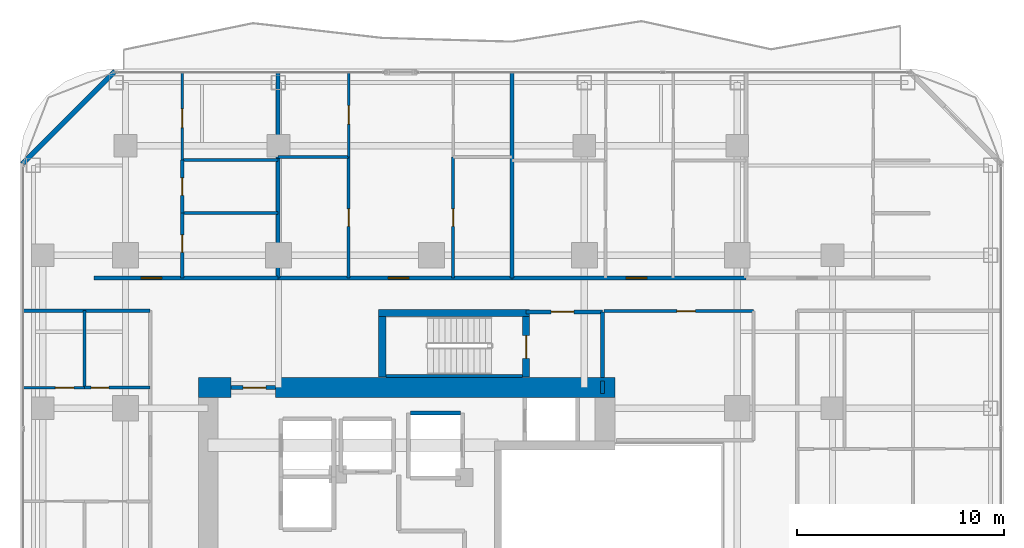
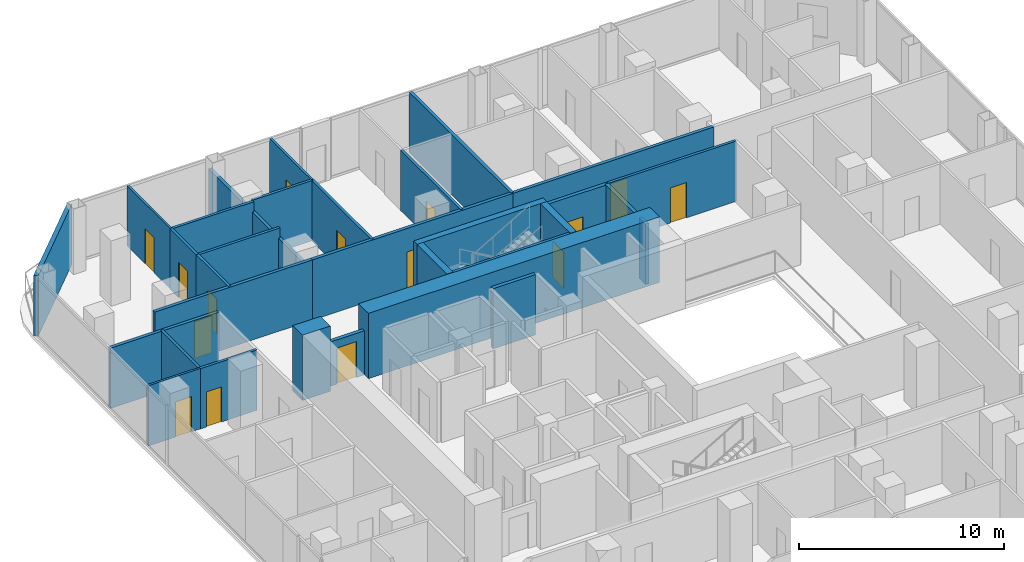
# One storey, part 23 of 27: 31 walls, 15 doors, 15 openings.
"""IFC4 building model written with IfcOpenShell, lengths in metres."""

from ifc_helpers import new_model, si_unit, direction, frame, frame_2d, origin, place, context, subcontext, project, spatial, rectangle, extrude, material, layer, layer_set, type_object, element, fill, save


model = new_model("IFC4")

# Units and contexts
model_context = context("Model", 3, precision=1e-05, world=origin(), true_north=direction((0.0, 1.0)))
body_context = subcontext(model_context, "Body", "Model", "MODEL_VIEW")
ifc_project = project(units=[si_unit("LENGTHUNIT", "METRE"), si_unit("AREAUNIT", "SQUARE_METRE"), si_unit("VOLUMEUNIT", "CUBIC_METRE"), si_unit("PLANEANGLEUNIT", "RADIAN"), si_unit("MASSUNIT", "GRAM", prefix="KILO")], contexts=[model_context])

# Site, building, storey
site_placement = place(None, origin())
site = spatial("IfcSite", under=ifc_project, at=site_placement, CompositionType="ELEMENT")
building_placement = place(site_placement, origin())
building = spatial("IfcBuilding", under=site, at=building_placement, Name="Khorvyn Point Tower", CompositionType="ELEMENT")
storey_placement = place(building_placement, frame((0.0, 0.0, 152.39990234375)))
storey = spatial("IfcBuildingStorey", under=building, at=storey_placement, Name="L38", CompositionType="ELEMENT", Elevation=152.39990234375)

# Wall, opening, door
ifc_material_1 = material(Name="Double acoustic gypsum on twin steel stud", Category="steel")
ifc_layer_1 = layer(ifc_material_1, 0.179931640625)
ifc_layer_set_1 = layer_set([ifc_layer_1], Name="Acoustic Double-Stud Apartment Demising Wall 180")
wall_type_1 = type_object("IfcWallType", Name="Acoustic Double-Stud Apartment Demising Wall 180", PredefinedType="PARTITIONING", material=ifc_layer_set_1)
wall_1_placement = place(storey_placement, frame((-16.320068359375, 13.699951171875, 0.0), z_axis=(0.0, 0.0, 1.0), x_axis=(1.0, 0.0, 0.0)))
wall_1 = element("IfcWall", 1, at=wall_1_placement, inside=storey, type_object=wall_type_1, Name="Wall", PredefinedType="PARTITIONING", context=body_context, shape_type="SweptSolid", body=[
    extrude(rectangle(XDim=8.89697265625, YDim=0.179931640625, at=frame_2d((4.448486328125, 0.0))), origin(), (0.0, 0.0, 1.0), 3.60009765625),
])
opening_1_placement = place(wall_1_placement, frame((2.2744140625, 0.0, 0.0)))
opening_1 = element("IfcOpeningElement", 2, at=opening_1_placement, cuts=wall_1, Name="Opening ID-AP60", PredefinedType="OPENING", context=body_context, shape_type="SweptSolid", body=[
    extrude(rectangle(XDim=1.0, YDim=2.199951171875, at=frame_2d((0.5, 1.10009765625))), frame((0.0, 0.099853515625, 0.0), z_axis=(0.0, -1.0, 0.0), x_axis=(1.0, 0.0, 0.0)), (0.0, 0.0, 1.0), 0.199951171875),
])
ifc_material_2 = material(Name="Engineered hardwood fire-rated leaf", Category="wood")
door_type_1 = type_object("IfcDoorType", Name="Acoustic Solid-Core Timber Apartment Entrance Door 1000x2200", OperationType="NOTDEFINED", PredefinedType="DOOR", material=ifc_material_2)
door_1_placement = place(opening_1_placement, origin())
door_1 = element("IfcDoor", 3, at=door_1_placement, inside=storey, type_object=door_type_1, Name="Door", OperationType="SINGLE_SWING_LEFT", OverallHeight=2.199951171875, OverallWidth=1.0, PredefinedType="DOOR", context=body_context, shape_type="SweptSolid", body=[
    extrude(rectangle(XDim=1.0, YDim=2.199951171875, at=frame_2d((0.5, 1.10009765625))), frame((0.0, 0.02490234375, 0.0), z_axis=(0.0, -1.0, 0.0), x_axis=(1.0, 0.0, 0.0)), (0.0, 0.0, 1.0), 0.050048828125),
])
fill(opening_1, door_1)

wall_2_placement = place(storey_placement, frame((-7.423095703125, 13.699951171875, 0.0), z_axis=(0.0, 0.0, 1.0), x_axis=(1.0, 0.0, 0.0)))
wall_2 = element("IfcWall", 4, at=wall_2_placement, inside=storey, type_object=wall_type_1, Name="Wall", PredefinedType="PARTITIONING", context=body_context, shape_type="SweptSolid", body=[
    extrude(rectangle(XDim=11.322998046875, YDim=0.179931640625, at=frame_2d((5.66162109375, 0.0))), origin(), (0.0, 0.0, 1.0), 3.60009765625),
])
opening_2_placement = place(wall_2_placement, frame((5.340087890625, 0.0, 0.0)))
opening_2 = element("IfcOpeningElement", 5, at=opening_2_placement, cuts=wall_2, Name="Opening ID-AP60", PredefinedType="OPENING", context=body_context, shape_type="SweptSolid", body=[
    extrude(rectangle(XDim=1.0, YDim=2.199951171875, at=frame_2d((0.5, 1.10009765625))), frame((0.0, 0.099853515625, 0.0), z_axis=(0.0, -1.0, 0.0), x_axis=(1.0, 0.0, 0.0)), (0.0, 0.0, 1.0), 0.199951171875),
])
door_2_placement = place(opening_2_placement, origin())
door_2 = element("IfcDoor", 6, at=door_2_placement, inside=storey, type_object=door_type_1, Name="Door", OperationType="SINGLE_SWING_LEFT", OverallHeight=2.199951171875, OverallWidth=1.0, PredefinedType="DOOR", context=body_context, shape_type="SweptSolid", body=[
    extrude(rectangle(XDim=1.0, YDim=2.199951171875, at=frame_2d((0.5, 1.10009765625))), frame((0.0, 0.02490234375, 0.0), z_axis=(0.0, -1.0, 0.0), x_axis=(1.0, 0.0, 0.0)), (0.0, 0.0, 1.0), 0.050048828125),
])
fill(opening_2, door_2)

wall_3_placement = place(storey_placement, frame((3.89990234375, 13.699951171875, 0.0), z_axis=(0.0, 0.0, 1.0), x_axis=(1.0, 0.0, 0.0)))
wall_3 = element("IfcWall", 7, at=wall_3_placement, inside=storey, type_object=wall_type_1, Name="Wall", PredefinedType="PARTITIONING", context=body_context, shape_type="SweptSolid", body=[
    extrude(rectangle(XDim=11.322998046875, YDim=0.179931640625, at=frame_2d((5.66162109375, 0.0))), origin(), (0.0, 0.0, 1.0), 3.60009765625),
])
opening_3_placement = place(wall_3_placement, frame((5.518798828125, 0.0, 0.0)))
opening_3 = element("IfcOpeningElement", 8, at=opening_3_placement, cuts=wall_3, Name="Opening ID-AP60", PredefinedType="OPENING", context=body_context, shape_type="SweptSolid", body=[
    extrude(rectangle(XDim=1.0, YDim=2.199951171875, at=frame_2d((0.5, 1.10009765625))), frame((0.0, 0.099853515625, 0.0), z_axis=(0.0, -1.0, 0.0), x_axis=(1.0, 0.0, 0.0)), (0.0, 0.0, 1.0), 0.199951171875),
])
door_3_placement = place(opening_3_placement, origin())
door_3 = element("IfcDoor", 9, at=door_3_placement, inside=storey, type_object=door_type_1, Name="Door", OperationType="SINGLE_SWING_RIGHT", OverallHeight=2.199951171875, OverallWidth=1.0, PredefinedType="DOOR", context=body_context, shape_type="SweptSolid", body=[
    extrude(rectangle(XDim=1.0, YDim=2.199951171875, at=frame_2d((0.5, 1.10009765625))), frame((0.0, 0.02490234375, 0.0), z_axis=(0.0, -1.0, 0.0), x_axis=(1.0, 0.0, 0.0)), (0.0, 0.0, 1.0), 0.050048828125),
])
fill(opening_3, door_3)

# Walls
wall_4_placement = place(storey_placement, frame((-7.423095703125, 13.699951171875, 0.0), z_axis=(0.0, 0.0, 1.0), x_axis=(0.0, 1.0, 0.0)))
element("IfcWall", 10, at=wall_4_placement, inside=storey, type_object=wall_type_1, Name="Wall", PredefinedType="PARTITIONING", context=body_context, shape_type="SweptSolid", body=[
    extrude(rectangle(XDim=9.929931640625, YDim=0.179931640625, at=frame_2d((4.96484375, 0.0))), origin(), (0.0, 0.0, 1.0), 3.002197265625),
])
wall_5_placement = place(storey_placement, frame((3.89990234375, 13.699951171875, 0.0), z_axis=(0.0, 0.0, 1.0), x_axis=(0.0, 1.0, 0.0)))
element("IfcWall", 11, at=wall_5_placement, inside=storey, type_object=wall_type_1, Name="Wall", PredefinedType="PARTITIONING", context=body_context, shape_type="SweptSolid", body=[
    extrude(rectangle(XDim=9.929931640625, YDim=0.179931640625, at=frame_2d((4.96484375, 0.0))), origin(), (0.0, 0.0, 1.0), 3.60009765625),
])
wall_6_placement = place(storey_placement, frame((-19.72998046875, 12.1201171875, 0.0), z_axis=(0.0, 0.0, 1.0), x_axis=(1.0, 0.0, 0.0)))
element("IfcWall", 12, at=wall_6_placement, inside=storey, type_object=wall_type_1, Name="Wall", PredefinedType="PARTITIONING", context=body_context, shape_type="SweptSolid", body=[
    extrude(rectangle(XDim=6.1298828125, YDim=0.179931640625, at=frame_2d((3.06494140625, 0.0))), origin(), (0.0, 0.0, 1.0), 3.60009765625),
])
ifc_material_3 = material(Name="Pale anodised aluminium rainscreen on steel stud", Category="steel")
ifc_layer_2 = layer(ifc_material_3, 0.239990234375)
ifc_layer_set_2 = layer_set([ifc_layer_2], Name="Anodised Aluminium Insulated Corner Spandrel Wall 240")
wall_type_2 = type_object("IfcWallType", Name="Anodised Aluminium Insulated Corner Spandrel Wall 240", PredefinedType="SOLIDWALL", material=ifc_layer_set_2)
wall_7_placement = place(storey_placement, frame((-19.79248046875, 19.20751953125, 0.0), z_axis=(0.0, 0.0, 1.0), x_axis=(0.707106781187, 0.707106781187, 0.0)))
element("IfcWall", 13, at=wall_7_placement, inside=storey, type_object=wall_type_2, Name="L38 Rounded Corner Wall NW", PredefinedType="SOLIDWALL", context=body_context, shape_type="SweptSolid", body=[
    extrude(rectangle(XDim=6.342529296875, YDim=0.239990234375, at=frame_2d((3.17138671875, 0.0))), origin(), (0.0, 0.0, 1.0), 3.60009765625),
])

# Wall, opening, door
ifc_material_4 = material(Name="Concrete C40/50", Category="concrete")
ifc_layer_3 = layer(ifc_material_4, 0.199951171875)
ifc_layer_set_3 = layer_set([ifc_layer_3], Name="Concrete C40/50 Fire-Lobby Compartment Wall 200")
wall_type_3 = type_object("IfcWallType", Name="Concrete C40/50 Fire-Lobby Compartment Wall 200", PredefinedType="SOLIDWALL", material=ifc_layer_set_3)
wall_8_placement = place(storey_placement, frame((4.580078125, 12.06005859375, 0.0), z_axis=(0.0, 0.0, 1.0), x_axis=(1.0, 0.0, 0.0)))
wall_8 = element("IfcWall", 14, at=wall_8_placement, inside=storey, type_object=wall_type_3, Name="Wall", PredefinedType="SOLIDWALL", context=body_context, shape_type="SweptSolid", body=[
    extrude(rectangle(XDim=3.699951171875, YDim=0.199951171875, at=frame_2d((1.85009765625, 0.0))), origin(), (0.0, 0.0, 1.0), 3.60009765625),
])
opening_4_placement = place(wall_8_placement, frame((1.21240234375, 0.0, 0.0)))
opening_4 = element("IfcOpeningElement", 15, at=opening_4_placement, cuts=wall_8, Name="Opening ID-FL90", PredefinedType="OPENING", context=body_context, shape_type="SweptSolid", body=[
    extrude(rectangle(XDim=1.10009765625, YDim=2.14990234375, at=frame_2d((0.550048828125, 1.074951171875))), frame((0.0, 0.10986328125, 0.0), z_axis=(0.0, -1.0, 0.0), x_axis=(1.0, 0.0, 0.0)), (0.0, 0.0, 1.0), 0.219970703125),
])
ifc_material_5 = material(Name="Galvanised powder-coated steel", Category="steel")
door_type_2 = type_object("IfcDoorType", Name="Fire-Rated Steel Lobby and Stair Door 1100x2150", OperationType="NOTDEFINED", PredefinedType="DOOR", material=ifc_material_5)
door_4_placement = place(opening_4_placement, origin())
door_4 = element("IfcDoor", 16, at=door_4_placement, inside=storey, type_object=door_type_2, Name="Door", OperationType="SINGLE_SWING_LEFT", OverallHeight=2.14990234375, OverallWidth=1.10009765625, PredefinedType="DOOR", context=body_context, shape_type="SweptSolid", body=[
    extrude(rectangle(XDim=1.10009765625, YDim=2.14990234375, at=frame_2d((0.550048828125, 1.074951171875))), frame((0.0, 0.02490234375, 0.0), z_axis=(0.0, -1.0, 0.0), x_axis=(1.0, 0.0, 0.0)), (0.0, 0.0, 1.0), 0.050048828125),
])
fill(opening_4, door_4)

wall_9_placement = place(storey_placement, frame((-9.699951171875, 8.39990234375, 0.0), z_axis=(0.0, 0.0, 1.0), x_axis=(1.0, 0.0, 0.0)))
wall_9 = element("IfcWall", 17, at=wall_9_placement, inside=storey, type_object=wall_type_3, Name="Wall", PredefinedType="SOLIDWALL", context=body_context, shape_type="SweptSolid", body=[
    extrude(rectangle(XDim=2.14990234375, YDim=0.199951171875, at=frame_2d((1.074951171875, 0.0))), origin(), (0.0, 0.0, 1.0), 2.64013671875),
])
opening_5_placement = place(wall_9_placement, frame((0.597900390625, 0.0, 0.0)))
opening_5 = element("IfcOpeningElement", 18, at=opening_5_placement, cuts=wall_9, Name="Opening ID-FL90", PredefinedType="OPENING", context=body_context, shape_type="SweptSolid", body=[
    extrude(rectangle(XDim=1.10009765625, YDim=2.14990234375, at=frame_2d((0.550048828125, 1.074951171875))), frame((0.0, 0.10986328125, 0.0), z_axis=(0.0, -1.0, 0.0), x_axis=(1.0, 0.0, 0.0)), (0.0, 0.0, 1.0), 0.219970703125),
])
door_5_placement = place(opening_5_placement, origin())
door_5 = element("IfcDoor", 19, at=door_5_placement, inside=storey, type_object=door_type_2, Name="Door", OperationType="SINGLE_SWING_LEFT", OverallHeight=2.14990234375, OverallWidth=1.10009765625, PredefinedType="DOOR", context=body_context, shape_type="SweptSolid", body=[
    extrude(rectangle(XDim=1.10009765625, YDim=2.14990234375, at=frame_2d((0.550048828125, 1.074951171875))), frame((0.0, 0.02490234375, 0.0), z_axis=(0.0, -1.0, 0.0), x_axis=(1.0, 0.0, 0.0)), (0.0, 0.0, 1.0), 0.050048828125),
])
fill(opening_5, door_5)

# Walls
wall_10_placement = place(storey_placement, frame((8.280029296875, 8.875, 0.0), z_axis=(0.0, 0.0, 1.0), x_axis=(0.0, 1.0, 0.0)))
element("IfcWall", 20, at=wall_10_placement, inside=storey, type_object=wall_type_3, Name="Wall", PredefinedType="SOLIDWALL", context=body_context, shape_type="SweptSolid", body=[
    extrude(rectangle(XDim=3.18505859375, YDim=0.199951171875, at=frame_2d((1.592529296875, 0.0))), origin(), (0.0, 0.0, 1.0), 3.60009765625),
])
wall_11_placement = place(storey_placement, frame((8.280029296875, 8.10009765625, 0.0), z_axis=(0.0, 0.0, 1.0), x_axis=(0.0, 1.0, 0.0)))
element("IfcWall", 21, at=wall_11_placement, inside=storey, type_object=wall_type_3, Name="Wall", PredefinedType="SOLIDWALL", context=body_context, shape_type="SweptSolid", body=[
    extrude(rectangle(XDim=0.625, YDim=0.199951171875, at=frame_2d((0.3125, 0.0))), origin(), (0.0, 0.0, 1.0), 3.60009765625),
])
ifc_layer_4 = layer(ifc_material_4, 0.25)
ifc_layer_set_4 = layer_set([ifc_layer_4], Name="Concrete C40/50 Stair Inner Cheek Structural Wall 250")
wall_type_4 = type_object("IfcWallType", Name="Concrete C40/50 Stair Inner Cheek Structural Wall 250", PredefinedType="SHEAR", material=ifc_layer_set_4)
wall_12_placement = place(storey_placement, frame((-2.199951171875, 8.949951171875, 0.0), z_axis=(0.0, 0.0, 1.0), x_axis=(1.0, 0.0, 0.0)))
element("IfcWall", 22, at=wall_12_placement, inside=storey, type_object=wall_type_4, Name="Wall", PredefinedType="SHEAR", context=body_context, shape_type="SweptSolid", body=[
    extrude(rectangle(XDim=6.599853515625, YDim=0.14990234375, at=frame_2d((3.2998046875, 0.0))), origin(), (0.0, 0.0, 1.0), 3.900146484375),
])
ifc_layer_5 = layer(ifc_material_4, 0.35009765625)
ifc_layer_set_5 = layer_set([ifc_layer_5], Name="Concrete C40/50 Stair Shaft Structural Wall 350")
wall_type_5 = type_object("IfcWallType", Name="Concrete C40/50 Stair Shaft Structural Wall 350", PredefinedType="SHEAR", material=ifc_layer_set_5)
wall_13_placement = place(storey_placement, frame((-2.554931640625, 12.0, 0.0), z_axis=(0.0, 0.0, 1.0), x_axis=(1.0, 0.0, 0.0)))
element("IfcWall", 23, at=wall_13_placement, inside=storey, type_object=wall_type_5, Name="L38 ST-02 North Shaft Wall", PredefinedType="SHEAR", context=body_context, shape_type="SweptSolid", body=[
    extrude(rectangle(XDim=7.309814453125, YDim=0.35009765625, at=frame_2d((3.65478515625, 0.0))), origin(), (0.0, 0.0, 1.0), 3.900146484375),
])
wall_14_placement = place(storey_placement, frame((-2.3798828125, 8.89990234375, 0.0), z_axis=(0.0, 0.0, 1.0), x_axis=(0.0, 1.0, 0.0)))
element("IfcWall", 24, at=wall_14_placement, inside=storey, type_object=wall_type_5, Name="L38 ST-02 West Shaft Wall", PredefinedType="SHEAR", context=body_context, shape_type="SweptSolid", body=[
    extrude(rectangle(XDim=2.925048828125, YDim=0.35009765625, at=frame_2d((1.46240234375, 0.0))), origin(), (0.0, 0.0, 1.0), 3.900146484375),
])

# Wall, opening, door
wall_15_placement = place(storey_placement, frame((4.580078125, 11.824951171875, 0.0), z_axis=(0.0, 0.0, 1.0), x_axis=(0.0, -1.0, 0.0)))
wall_15 = element("IfcWall", 25, at=wall_15_placement, inside=storey, type_object=wall_type_5, Name="L38 ST-02 East Landing Door Wall", PredefinedType="SHEAR", context=body_context, shape_type="SweptSolid", body=[
    extrude(rectangle(XDim=2.925048828125, YDim=0.35009765625, at=frame_2d((1.46240234375, 0.0))), origin(), (0.0, 0.0, 1.0), 3.900146484375),
])
opening_6_placement = place(wall_15_placement, frame((0.91259765625, 0.0, 0.0)))
opening_6 = element("IfcOpeningElement", 26, at=opening_6_placement, cuts=wall_15, Name="Opening ID-FL90", PredefinedType="OPENING", context=body_context, shape_type="SweptSolid", body=[
    extrude(rectangle(XDim=1.10009765625, YDim=2.14990234375, at=frame_2d((0.550048828125, 1.074951171875))), frame((0.0, 0.18505859375, 0.0), z_axis=(0.0, -1.0, 0.0), x_axis=(1.0, 0.0, 0.0)), (0.0, 0.0, 1.0), 0.3701171875),
])
door_6_placement = place(opening_6_placement, origin())
door_6 = element("IfcDoor", 27, at=door_6_placement, inside=storey, type_object=door_type_2, Name="L38 ST-02 Smokeproof Landing Door", OperationType="SINGLE_SWING_LEFT", OverallHeight=2.14990234375, OverallWidth=1.10009765625, PredefinedType="DOOR", context=body_context, shape_type="SweptSolid", body=[
    extrude(rectangle(XDim=1.10009765625, YDim=2.14990234375, at=frame_2d((0.550048828125, 1.074951171875))), frame((0.0, 0.02490234375, 0.0), z_axis=(0.0, -1.0, 0.0), x_axis=(1.0, 0.0, 0.0)), (0.0, 0.0, 1.0), 0.050048828125),
])
fill(opening_6, door_6)

# Walls
ifc_layer_6 = layer(ifc_material_4, 0.199951171875)
ifc_layer_set_6 = layer_set([ifc_layer_6], Name="Concrete C40/50 Structural Hoistway and Stair Shaft Wall 200")
wall_type_6 = type_object("IfcWallType", Name="Concrete C40/50 Structural Hoistway and Stair Shaft Wall 200", PredefinedType="SHEAR", material=ifc_layer_set_6)
wall_16_placement = place(storey_placement, frame((-1.0, 7.175048828125, 0.0), z_axis=(0.0, 0.0, 1.0), x_axis=(1.0, 0.0, 0.0)))
element("IfcWall", 28, at=wall_16_placement, inside=storey, type_object=wall_type_6, Name="Wall", PredefinedType="SHEAR", context=body_context, shape_type="SweptSolid", body=[
    extrude(rectangle(XDim=2.39990234375, YDim=0.199951171875, at=frame_2d((1.199951171875, 0.0))), origin(), (0.0, 0.0, 1.0), 3.60009765625),
])
ifc_material_6 = material(Name="Concrete C50/60", Category="concrete")
ifc_layer_7 = layer(ifc_material_6, 0.949951171875)
ifc_layer_set_7 = layer_set([ifc_layer_7], Name="Concrete C50/60 Core Shear Wall 950")
wall_type_7 = type_object("IfcWallType", Name="Concrete C50/60 Core Shear Wall 950", PredefinedType="SHEAR", material=ifc_layer_set_7)
wall_17_placement = place(storey_placement, frame((-11.27490234375, 8.39990234375, 0.0), z_axis=(0.0, 0.0, 1.0), x_axis=(1.0, 0.0, 0.0)))
element("IfcWall", 29, at=wall_17_placement, inside=storey, type_object=wall_type_7, Name="Wall", PredefinedType="SHEAR", context=body_context, shape_type="SweptSolid", body=[
    extrude(rectangle(XDim=1.574951171875, YDim=0.949951171875, at=frame_2d((0.78759765625, 0.0))), origin(), (0.0, 0.0, 1.0), 3.900146484375),
])
wall_18_placement = place(storey_placement, frame((-7.550048828125, 8.39990234375, 0.0), z_axis=(0.0, 0.0, 1.0), x_axis=(1.0, 0.0, 0.0)))
element("IfcWall", 30, at=wall_18_placement, inside=storey, type_object=wall_type_7, Name="Wall", PredefinedType="SHEAR", context=body_context, shape_type="SweptSolid", body=[
    extrude(rectangle(XDim=16.425048828125, YDim=0.949951171875, at=frame_2d((8.21240234375, 0.0))), origin(), (0.0, 0.0, 1.0), 3.900146484375),
])

# Wall, opening, door
ifc_material_7 = material(Name="Gypsum plasterboard on steel stud", Category="steel")
ifc_layer_8 = layer(ifc_material_7, 0.1201171875)
ifc_layer_set_8 = layer_set([ifc_layer_8], Name="Gypsum Acoustic Stud Room Partition Wall 120")
wall_type_8 = type_object("IfcWallType", Name="Gypsum Acoustic Stud Room Partition Wall 120", PredefinedType="PARTITIONING", material=ifc_layer_set_8)
wall_19_placement = place(storey_placement, frame((-12.049072265625, 19.406005859375, 0.0), z_axis=(0.0, 0.0, 1.0), x_axis=(0.0, 1.0, 0.0)))
wall_19 = element("IfcWall", 31, at=wall_19_placement, inside=storey, type_object=wall_type_8, Name="Wall", PredefinedType="PARTITIONING", context=body_context, shape_type="SweptSolid", body=[
    extrude(rectangle(XDim=4.223876953125, YDim=0.1201171875, at=frame_2d((2.11181640625, 0.0))), origin(), (0.0, 0.0, 1.0), 3.60009765625),
])
opening_7_placement = place(wall_19_placement, frame((1.573486328125, 0.0, 0.0)))
opening_7 = element("IfcOpeningElement", 32, at=opening_7_placement, cuts=wall_19, Name="Opening ID-RM90", PredefinedType="OPENING", context=body_context, shape_type="SweptSolid", body=[
    extrude(rectangle(XDim=0.89990234375, YDim=2.10009765625, at=frame_2d((0.449951171875, 1.050048828125))), frame((0.0, 0.070068359375, 0.0), z_axis=(0.0, -1.0, 0.0), x_axis=(1.0, 0.0, 0.0)), (0.0, 0.0, 1.0), 0.14013671875),
])
ifc_material_8 = material(Name="Engineered oak veneer timber", Category="wood")
door_type_3 = type_object("IfcDoorType", Name="Flush Engineered Timber Room Door 900x2100", OperationType="NOTDEFINED", PredefinedType="DOOR", material=ifc_material_8)
door_7_placement = place(opening_7_placement, origin())
door_7 = element("IfcDoor", 33, at=door_7_placement, inside=storey, type_object=door_type_3, Name="Door", OperationType="SINGLE_SWING_RIGHT", OverallHeight=2.10009765625, OverallWidth=0.89990234375, PredefinedType="DOOR", context=body_context, shape_type="SweptSolid", body=[
    extrude(rectangle(XDim=0.89990234375, YDim=2.10009765625, at=frame_2d((0.449951171875, 1.050048828125))), frame((0.0, 0.02490234375, 0.0), z_axis=(0.0, -1.0, 0.0), x_axis=(1.0, 0.0, 0.0)), (0.0, 0.0, 1.0), 0.050048828125),
])
fill(opening_7, door_7)

wall_20_placement = place(storey_placement, frame((-4.0009765625, 19.544921875, 0.0), z_axis=(0.0, 0.0, 1.0), x_axis=(0.0, 1.0, 0.0)))
wall_20 = element("IfcWall", 34, at=wall_20_placement, inside=storey, type_object=wall_type_8, Name="Wall", PredefinedType="PARTITIONING", context=body_context, shape_type="SweptSolid", body=[
    extrude(rectangle(XDim=4.0849609375, YDim=0.1201171875, at=frame_2d((2.04248046875, 0.0))), origin(), (0.0, 0.0, 1.0), 3.60009765625),
])
opening_8_placement = place(wall_20_placement, frame((1.592529296875, 0.0, 0.0)))
opening_8 = element("IfcOpeningElement", 35, at=opening_8_placement, cuts=wall_20, Name="Opening ID-RM90", PredefinedType="OPENING", context=body_context, shape_type="SweptSolid", body=[
    extrude(rectangle(XDim=0.89990234375, YDim=2.10009765625, at=frame_2d((0.449951171875, 1.050048828125))), frame((0.0, 0.070068359375, 0.0), z_axis=(0.0, -1.0, 0.0), x_axis=(1.0, 0.0, 0.0)), (0.0, 0.0, 1.0), 0.14013671875),
])
door_8_placement = place(opening_8_placement, origin())
door_8 = element("IfcDoor", 36, at=door_8_placement, inside=storey, type_object=door_type_3, Name="Door", OperationType="SINGLE_SWING_LEFT", OverallHeight=2.10009765625, OverallWidth=0.89990234375, PredefinedType="DOOR", context=body_context, shape_type="SweptSolid", body=[
    extrude(rectangle(XDim=0.89990234375, YDim=2.10009765625, at=frame_2d((0.449951171875, 1.050048828125))), frame((0.0, 0.02490234375, 0.0), z_axis=(0.0, -1.0, 0.0), x_axis=(1.0, 0.0, 0.0)), (0.0, 0.0, 1.0), 0.050048828125),
])
fill(opening_8, door_8)

wall_21_placement = place(storey_placement, frame((-19.72998046875, 8.39404296875, 0.0), z_axis=(0.0, 0.0, 1.0), x_axis=(1.0, 0.0, 0.0)))
wall_21 = element("IfcWall", 37, at=wall_21_placement, inside=storey, type_object=wall_type_8, Name="Wall", PredefinedType="PARTITIONING", context=body_context, shape_type="SweptSolid", body=[
    extrude(rectangle(XDim=2.946044921875, YDim=0.1201171875, at=frame_2d((1.47314453125, 0.0))), origin(), (0.0, 0.0, 1.0), 3.60009765625),
])
opening_9_placement = place(wall_21_placement, frame((1.540771484375, 0.0, 0.0)))
opening_9 = element("IfcOpeningElement", 38, at=opening_9_placement, cuts=wall_21, Name="Opening ID-RM90", PredefinedType="OPENING", context=body_context, shape_type="SweptSolid", body=[
    extrude(rectangle(XDim=0.89990234375, YDim=2.10009765625, at=frame_2d((0.449951171875, 1.050048828125))), frame((0.0, 0.070068359375, 0.0), z_axis=(0.0, -1.0, 0.0), x_axis=(1.0, 0.0, 0.0)), (0.0, 0.0, 1.0), 0.14013671875),
])
door_9_placement = place(opening_9_placement, origin())
door_9 = element("IfcDoor", 39, at=door_9_placement, inside=storey, type_object=door_type_3, Name="Door", OperationType="SINGLE_SWING_LEFT", OverallHeight=2.10009765625, OverallWidth=0.89990234375, PredefinedType="DOOR", context=body_context, shape_type="SweptSolid", body=[
    extrude(rectangle(XDim=0.89990234375, YDim=2.10009765625, at=frame_2d((0.449951171875, 1.050048828125))), frame((0.0, 0.02490234375, 0.0), z_axis=(0.0, -1.0, 0.0), x_axis=(1.0, 0.0, 0.0)), (0.0, 0.0, 1.0), 0.050048828125),
])
fill(opening_9, door_9)

ifc_material_9 = material(Name="Moisture-resistant gypsum and cement board", Category="gypsum")
ifc_layer_9 = layer(ifc_material_9, 0.14990234375)
ifc_layer_set_9 = layer_set([ifc_layer_9], Name="Moisture-Resistant Wet-Room Partition Wall 150")
wall_type_9 = type_object("IfcWallType", Name="Moisture-Resistant Wet-Room Partition Wall 150", PredefinedType="PARTITIONING", material=ifc_layer_set_9)
wall_22_placement = place(storey_placement, frame((8.360107421875, 12.10009765625, 0.0), z_axis=(0.0, 0.0, 1.0), x_axis=(1.0, 0.0, 0.0)))
wall_22 = element("IfcWall", 40, at=wall_22_placement, inside=storey, type_object=wall_type_9, Name="Wall", PredefinedType="PARTITIONING", context=body_context, shape_type="SweptSolid", body=[
    extrude(rectangle(XDim=7.219970703125, YDim=0.14990234375, at=frame_2d((3.60986328125, 0.0))), origin(), (0.0, 0.0, 1.0), 3.60009765625),
])
opening_10_placement = place(wall_22_placement, frame((3.512939453125, 0.0, 0.0)))
opening_10 = element("IfcOpeningElement", 41, at=opening_10_placement, cuts=wall_22, Name="Opening ID-RM90", PredefinedType="OPENING", context=body_context, shape_type="SweptSolid", body=[
    extrude(rectangle(XDim=0.89990234375, YDim=2.10009765625, at=frame_2d((0.449951171875, 1.050048828125))), frame((0.0, 0.0849609375, 0.0), z_axis=(0.0, -1.0, 0.0), x_axis=(1.0, 0.0, 0.0)), (0.0, 0.0, 1.0), 0.169921875),
])
door_10_placement = place(opening_10_placement, origin())
door_10 = element("IfcDoor", 42, at=door_10_placement, inside=storey, type_object=door_type_3, Name="Door", OperationType="SINGLE_SWING_RIGHT", OverallHeight=2.10009765625, OverallWidth=0.89990234375, PredefinedType="DOOR", context=body_context, shape_type="SweptSolid", body=[
    extrude(rectangle(XDim=0.89990234375, YDim=2.10009765625, at=frame_2d((0.449951171875, 1.050048828125))), frame((0.0, 0.02490234375, 0.0), z_axis=(0.0, -1.0, 0.0), x_axis=(1.0, 0.0, 0.0)), (0.0, 0.0, 1.0), 0.050048828125),
])
fill(opening_10, door_10)

wall_23_placement = place(storey_placement, frame((-12.049072265625, 13.699951171875, 0.0), z_axis=(0.0, 0.0, 1.0), x_axis=(0.0, 1.0, 0.0)))
wall_23 = element("IfcWall", 43, at=wall_23_placement, inside=storey, type_object=wall_type_9, Name="Wall", PredefinedType="PARTITIONING", context=body_context, shape_type="SweptSolid", body=[
    extrude(rectangle(XDim=3.137939453125, YDim=0.14990234375, at=frame_2d((1.56884765625, 0.0))), origin(), (0.0, 0.0, 1.0), 3.60009765625),
])
opening_11_placement = place(wall_23_placement, frame((1.2333984375, 0.0, 0.0)))
opening_11 = element("IfcOpeningElement", 44, at=opening_11_placement, cuts=wall_23, Name="Opening ID-WC85", PredefinedType="OPENING", context=body_context, shape_type="SweptSolid", body=[
    extrude(rectangle(XDim=0.85009765625, YDim=2.10009765625, at=frame_2d((0.425048828125, 1.050048828125))), frame((0.0, 0.0849609375, 0.0), z_axis=(0.0, -1.0, 0.0), x_axis=(1.0, 0.0, 0.0)), (0.0, 0.0, 1.0), 0.169921875),
])
ifc_material_10 = material(Name="High-pressure laminate on moisture-resistant core", Category="wood")
door_type_4 = type_object("IfcDoorType", Name="Moisture-Resistant Accessible Washroom Door 850x2100", OperationType="NOTDEFINED", PredefinedType="DOOR", material=ifc_material_10)
door_11_placement = place(opening_11_placement, origin())
door_11 = element("IfcDoor", 45, at=door_11_placement, inside=storey, type_object=door_type_4, Name="Door", OperationType="SINGLE_SWING_RIGHT", OverallHeight=2.10009765625, OverallWidth=0.85009765625, PredefinedType="DOOR", context=body_context, shape_type="SweptSolid", body=[
    extrude(rectangle(XDim=0.85009765625, YDim=2.10009765625, at=frame_2d((0.425048828125, 1.050048828125))), frame((0.0, 0.02490234375, 0.0), z_axis=(0.0, -1.0, 0.0), x_axis=(1.0, 0.0, 0.0)), (0.0, 0.0, 1.0), 0.050048828125),
])
fill(opening_11, door_11)

wall_24_placement = place(storey_placement, frame((-12.049072265625, 16.837890625, 0.0), z_axis=(0.0, 0.0, 1.0), x_axis=(0.0, 1.0, 0.0)))
wall_24 = element("IfcWall", 46, at=wall_24_placement, inside=storey, type_object=wall_type_9, Name="Wall", PredefinedType="PARTITIONING", context=body_context, shape_type="SweptSolid", body=[
    extrude(rectangle(XDim=2.568115234375, YDim=0.14990234375, at=frame_2d((1.2841796875, 0.0))), origin(), (0.0, 0.0, 1.0), 3.60009765625),
])
opening_12_placement = place(wall_24_placement, frame((0.85888671875, 0.0, 0.0)))
opening_12 = element("IfcOpeningElement", 47, at=opening_12_placement, cuts=wall_24, Name="Opening ID-WC85", PredefinedType="OPENING", context=body_context, shape_type="SweptSolid", body=[
    extrude(rectangle(XDim=0.85009765625, YDim=2.10009765625, at=frame_2d((0.425048828125, 1.050048828125))), frame((0.0, 0.0849609375, 0.0), z_axis=(0.0, -1.0, 0.0), x_axis=(1.0, 0.0, 0.0)), (0.0, 0.0, 1.0), 0.169921875),
])
door_12_placement = place(opening_12_placement, origin())
door_12 = element("IfcDoor", 48, at=door_12_placement, inside=storey, type_object=door_type_4, Name="Door", OperationType="SINGLE_SWING_LEFT", OverallHeight=2.10009765625, OverallWidth=0.85009765625, PredefinedType="DOOR", context=body_context, shape_type="SweptSolid", body=[
    extrude(rectangle(XDim=0.85009765625, YDim=2.10009765625, at=frame_2d((0.425048828125, 1.050048828125))), frame((0.0, 0.02490234375, 0.0), z_axis=(0.0, -1.0, 0.0), x_axis=(1.0, 0.0, 0.0)), (0.0, 0.0, 1.0), 0.050048828125),
])
fill(opening_12, door_12)

wall_25_placement = place(storey_placement, frame((-4.0009765625, 13.699951171875, 0.0), z_axis=(0.0, 0.0, 1.0), x_axis=(0.0, 1.0, 0.0)))
wall_25 = element("IfcWall", 49, at=wall_25_placement, inside=storey, type_object=wall_type_9, Name="Wall", PredefinedType="PARTITIONING", context=body_context, shape_type="SweptSolid", body=[
    extrude(rectangle(XDim=5.844970703125, YDim=0.14990234375, at=frame_2d((2.92236328125, 0.0))), origin(), (0.0, 0.0, 1.0), 3.60009765625),
])
opening_13_placement = place(wall_25_placement, frame((2.49755859375, 0.0, 0.0)))
opening_13 = element("IfcOpeningElement", 50, at=opening_13_placement, cuts=wall_25, Name="Opening ID-WC85", PredefinedType="OPENING", context=body_context, shape_type="SweptSolid", body=[
    extrude(rectangle(XDim=0.85009765625, YDim=2.10009765625, at=frame_2d((0.425048828125, 1.050048828125))), frame((0.0, 0.0849609375, 0.0), z_axis=(0.0, -1.0, 0.0), x_axis=(1.0, 0.0, 0.0)), (0.0, 0.0, 1.0), 0.169921875),
])
door_13_placement = place(opening_13_placement, origin())
door_13 = element("IfcDoor", 51, at=door_13_placement, inside=storey, type_object=door_type_4, Name="Door", OperationType="SINGLE_SWING_RIGHT", OverallHeight=2.10009765625, OverallWidth=0.85009765625, PredefinedType="DOOR", context=body_context, shape_type="SweptSolid", body=[
    extrude(rectangle(XDim=0.85009765625, YDim=2.10009765625, at=frame_2d((0.425048828125, 1.050048828125))), frame((0.0, 0.02490234375, 0.0), z_axis=(0.0, -1.0, 0.0), x_axis=(1.0, 0.0, 0.0)), (0.0, 0.0, 1.0), 0.050048828125),
])
fill(opening_13, door_13)

wall_26_placement = place(storey_placement, frame((1.050048828125, 13.699951171875, 0.0), z_axis=(0.0, 0.0, 1.0), x_axis=(0.0, 1.0, 0.0)))
wall_26 = element("IfcWall", 52, at=wall_26_placement, inside=storey, type_object=wall_type_9, Name="Wall", PredefinedType="PARTITIONING", context=body_context, shape_type="SweptSolid", body=[
    extrude(rectangle(XDim=5.844970703125, YDim=0.14990234375, at=frame_2d((2.92236328125, 0.0))), origin(), (0.0, 0.0, 1.0), 3.60009765625),
])
opening_14_placement = place(wall_26_placement, frame((2.49755859375, 0.0, 0.0)))
opening_14 = element("IfcOpeningElement", 53, at=opening_14_placement, cuts=wall_26, Name="Opening ID-WC85", PredefinedType="OPENING", context=body_context, shape_type="SweptSolid", body=[
    extrude(rectangle(XDim=0.85009765625, YDim=2.10009765625, at=frame_2d((0.425048828125, 1.050048828125))), frame((0.0, 0.0849609375, 0.0), z_axis=(0.0, -1.0, 0.0), x_axis=(1.0, 0.0, 0.0)), (0.0, 0.0, 1.0), 0.169921875),
])
door_14_placement = place(opening_14_placement, origin())
door_14 = element("IfcDoor", 54, at=door_14_placement, inside=storey, type_object=door_type_4, Name="Door", OperationType="SINGLE_SWING_RIGHT", OverallHeight=2.10009765625, OverallWidth=0.85009765625, PredefinedType="DOOR", context=body_context, shape_type="SweptSolid", body=[
    extrude(rectangle(XDim=0.85009765625, YDim=2.10009765625, at=frame_2d((0.425048828125, 1.050048828125))), frame((0.0, 0.02490234375, 0.0), z_axis=(0.0, -1.0, 0.0), x_axis=(1.0, 0.0, 0.0)), (0.0, 0.0, 1.0), 0.050048828125),
])
fill(opening_14, door_14)

wall_27_placement = place(storey_placement, frame((-16.783935546875, 8.39404296875, 0.0), z_axis=(0.0, 0.0, 1.0), x_axis=(1.0, 0.0, 0.0)))
wall_27 = element("IfcWall", 55, at=wall_27_placement, inside=storey, type_object=wall_type_9, Name="Wall", PredefinedType="PARTITIONING", context=body_context, shape_type="SweptSolid", body=[
    extrude(rectangle(XDim=3.183837890625, YDim=0.14990234375, at=frame_2d((1.591796875, 0.0))), origin(), (0.0, 0.0, 1.0), 3.60009765625),
])
opening_15_placement = place(wall_27_placement, frame((0.327880859375, 0.0, 0.0)))
opening_15 = element("IfcOpeningElement", 56, at=opening_15_placement, cuts=wall_27, Name="Opening ID-WC85", PredefinedType="OPENING", context=body_context, shape_type="SweptSolid", body=[
    extrude(rectangle(XDim=0.85009765625, YDim=2.10009765625, at=frame_2d((0.425048828125, 1.050048828125))), frame((0.0, 0.0849609375, 0.0), z_axis=(0.0, -1.0, 0.0), x_axis=(1.0, 0.0, 0.0)), (0.0, 0.0, 1.0), 0.169921875),
])
door_15_placement = place(opening_15_placement, origin())
door_15 = element("IfcDoor", 57, at=door_15_placement, inside=storey, type_object=door_type_4, Name="Door", OperationType="SINGLE_SWING_RIGHT", OverallHeight=2.10009765625, OverallWidth=0.85009765625, PredefinedType="DOOR", context=body_context, shape_type="SweptSolid", body=[
    extrude(rectangle(XDim=0.85009765625, YDim=2.10009765625, at=frame_2d((0.425048828125, 1.050048828125))), frame((0.0, 0.02490234375, 0.0), z_axis=(0.0, -1.0, 0.0), x_axis=(1.0, 0.0, 0.0)), (0.0, 0.0, 1.0), 0.050048828125),
])
fill(opening_15, door_15)

# Walls
for number, where, z_axis, x_axis, name in (
    (58, (-12.049072265625, 16.837890625, 0.0), (0.0, 0.0, 1.0), (1.0, 0.0, 0.0), "Wall"),
    (59, (-12.049072265625, 19.406005859375, 0.0), (0.0, 0.0, 1.0), (1.0, 0.0, 0.0), "Wall"),
):
    element("IfcWall", number, at=place(storey_placement, frame(where, z_axis=z_axis, x_axis=x_axis)), inside=storey, type_object=wall_type_9, Name=name, PredefinedType="PARTITIONING", context=body_context, shape_type="SweptSolid", body=[
        extrude(rectangle(XDim=4.6259765625, YDim=0.14990234375, at=frame_2d((2.31298828125, 0.0))), origin(), (0.0, 0.0, 1.0), 3.60009765625),
    ])
wall_28_placement = place(storey_placement, frame((-7.423095703125, 19.544921875, 0.0), z_axis=(0.0, 0.0, 1.0), x_axis=(1.0, 0.0, 0.0)))
element("IfcWall", 60, at=wall_28_placement, inside=storey, type_object=wall_type_9, Name="Wall", PredefinedType="PARTITIONING", context=body_context, shape_type="SweptSolid", body=[
    extrude(rectangle(XDim=3.422119140625, YDim=0.14990234375, at=frame_2d((1.7109375, 0.0))), origin(), (0.0, 0.0, 1.0), 3.60009765625),
])
wall_29_placement = place(storey_placement, frame((-16.783935546875, 8.39404296875, 0.0), z_axis=(0.0, 0.0, 1.0), x_axis=(0.0, 1.0, 0.0)))
element("IfcWall", 61, at=wall_29_placement, inside=storey, type_object=wall_type_9, Name="Wall", PredefinedType="PARTITIONING", context=body_context, shape_type="SweptSolid", body=[
    extrude(rectangle(XDim=3.72607421875, YDim=0.14990234375, at=frame_2d((1.863037109375, 0.0))), origin(), (0.0, 0.0, 1.0), 3.60009765625),
])

save(model, "model.ifc")
